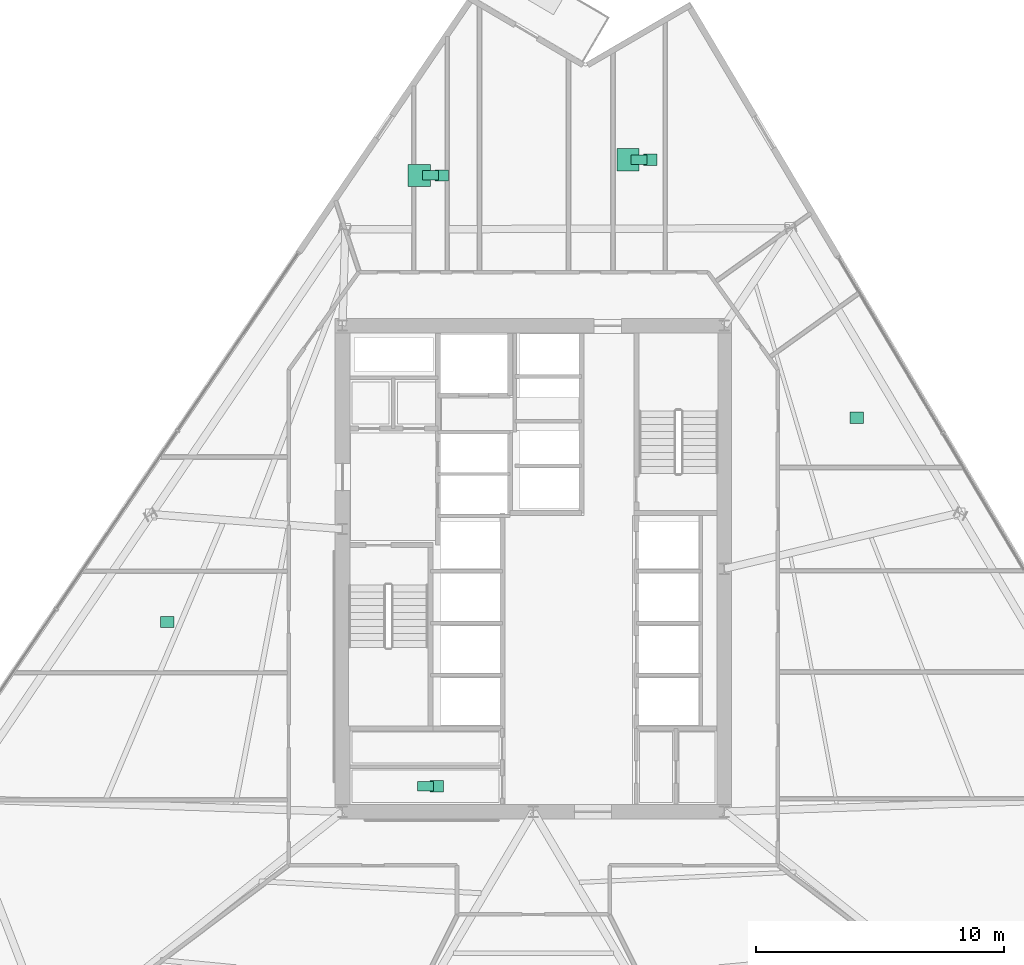
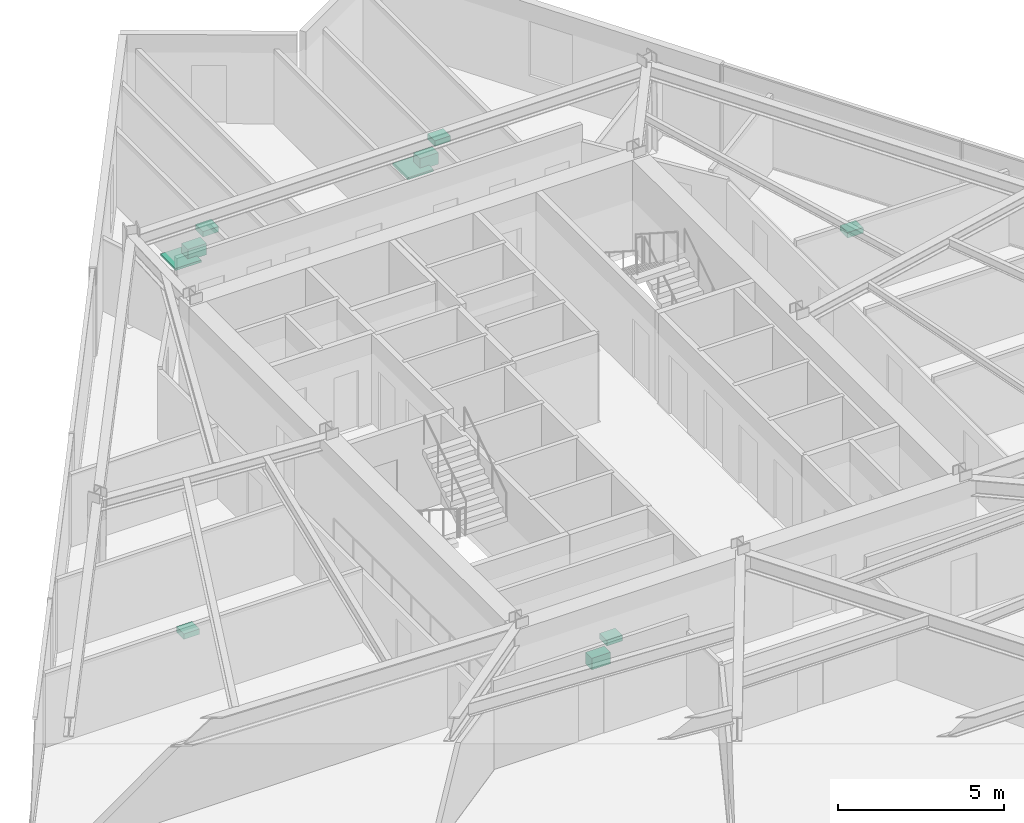
# One storey, part 16 of 16: 10 sanitary terminals.
"""IFC4 building model written with IfcOpenShell, lengths in metres."""

from ifc_helpers import new_model, si_unit, direction, frame, origin, origin_2d, place, context, subcontext, project, spatial, rectangle, extrude, material, type_object, element, save


model = new_model("IFC4")

# Units and contexts
model_context = context("Model", 3, precision=1e-05, world=origin(), true_north=direction((0.0, 1.0)))
body_context = subcontext(model_context, "Body", "Model", "MODEL_VIEW")
ifc_project = project(units=[si_unit("LENGTHUNIT", "METRE"), si_unit("AREAUNIT", "SQUARE_METRE"), si_unit("VOLUMEUNIT", "CUBIC_METRE"), si_unit("PLANEANGLEUNIT", "RADIAN"), si_unit("MASSUNIT", "GRAM", prefix="KILO")], contexts=[model_context])

# Site, building, storey
site_placement = place(None, origin())
site = spatial("IfcSite", under=ifc_project, at=site_placement, CompositionType="ELEMENT")
building_placement = place(site_placement, origin())
building = spatial("IfcBuilding", under=site, at=building_placement, Name="Savorim Split Tower", CompositionType="ELEMENT")
storey_placement = place(building_placement, frame((0.0, 0.0, 69.60009765625)))
storey = spatial("IfcBuildingStorey", under=building, at=storey_placement, Name="L18", CompositionType="ELEMENT", Elevation=69.60009765625)

# Sanitary terminals
ifc_material = material(Name="Vitreous China Sanitaryware")
sanitary_terminal_type_1 = type_object("IfcSanitaryTerminalType", Name="SAN-SHW-900", PredefinedType="SHOWER", material=ifc_material)
for number, where, z_axis, x_axis, name in (
    (1, (3.81591796875, 16.890869140625, -0.000244140625), (0.0, 0.0, 1.0), (1.0, 0.0, 0.0), "L18 Shared Bathroom Shower"),
    (2, (-4.601806640625, 16.260498046875, -0.000244140625), (0.0, 0.0, 1.0), (1.0, 0.0, 0.0), "L18 Shared Bathroom Shower"),
):
    element("IfcSanitaryTerminal", number, at=place(storey_placement, frame(where, z_axis=z_axis, x_axis=x_axis)), inside=storey, type_object=sanitary_terminal_type_1, Name=name, PredefinedType="SHOWER", context=body_context, shape_type="SweptSolid", body=[
        extrude(rectangle(XDim=0.89990234375, YDim=0.89990234375, at=origin_2d()), origin(), (0.0, 0.0, 1.0), 0.080078125),
    ])
sanitary_terminal_type_2 = type_object("IfcSanitaryTerminalType", Name="SAN-WC-PAN", PredefinedType="TOILETPAN", material=ifc_material)
for number, where, z_axis, x_axis, name in (
    (3, (-4.35009765625, -8.3701171875, 0.0), (0.0, 0.0, 1.0), (1.0, 0.0, 0.0), "L18 Public WC WC Pan"),
    (4, (4.26611328125, 16.890869140625, 0.0), (0.0, 0.0, 1.0), (1.0, 0.0, 0.0), "L18 Shared Bathroom WC Pan"),
    (5, (-4.151611328125, 16.260498046875, 0.0), (0.0, 0.0, 1.0), (1.0, 0.0, 0.0), "L18 Shared Bathroom WC Pan"),
):
    element("IfcSanitaryTerminal", number, at=place(storey_placement, frame(where, z_axis=z_axis, x_axis=x_axis)), inside=storey, type_object=sanitary_terminal_type_2, Name=name, PredefinedType="TOILETPAN", context=body_context, shape_type="SweptSolid", body=[
        extrude(rectangle(XDim=0.64990234375, YDim=0.3798828125, at=origin_2d()), origin(), (0.0, 0.0, 1.0), 0.419921875),
    ])
sanitary_terminal_type_3 = type_object("IfcSanitaryTerminalType", Name="SAN-WHB-550", PredefinedType="WASHHANDBASIN", material=ifc_material)
for number, where, z_axis, x_axis, name in (
    (6, (-3.89990234375, -8.3701171875, 0.7197265625), (0.0, 0.0, 1.0), (1.0, 0.0, 0.0), "L18 Public WC Washhand Basin"),
    (7, (-14.75830078125, -1.750732421875, 0.75), (0.0, 0.0, 1.0), (1.0, 0.0, 0.0), "L18 Shared Kitchen Utility Sink"),
    (8, (13.03515625, 6.4873046875, 0.75), (0.0, 0.0, 1.0), (1.0, 0.0, 0.0), "L18 Community Laundry Room Utility Sink"),
    (9, (4.716064453125, 16.890869140625, 0.7197265625), (0.0, 0.0, 1.0), (1.0, 0.0, 0.0), "L18 Shared Bathroom Washhand Basin"),
    (10, (-3.70166015625, 16.260498046875, 0.7197265625), (0.0, 0.0, 1.0), (1.0, 0.0, 0.0), "L18 Shared Bathroom Washhand Basin"),
):
    element("IfcSanitaryTerminal", number, at=place(storey_placement, frame(where, z_axis=z_axis, x_axis=x_axis)), inside=storey, type_object=sanitary_terminal_type_3, Name=name, PredefinedType="WASHHANDBASIN", context=body_context, shape_type="SweptSolid", body=[
        extrude(rectangle(XDim=0.550048828125, YDim=0.449951171875, at=origin_2d()), origin(), (0.0, 0.0, 1.0), 0.199951171875),
    ])

save(model, "model.ifc")
